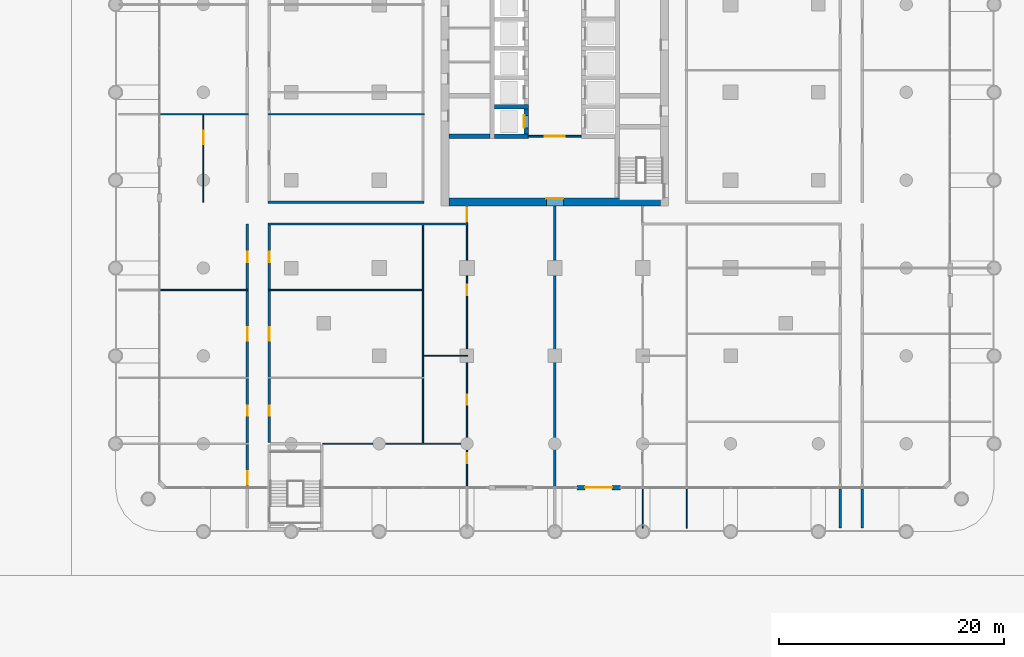
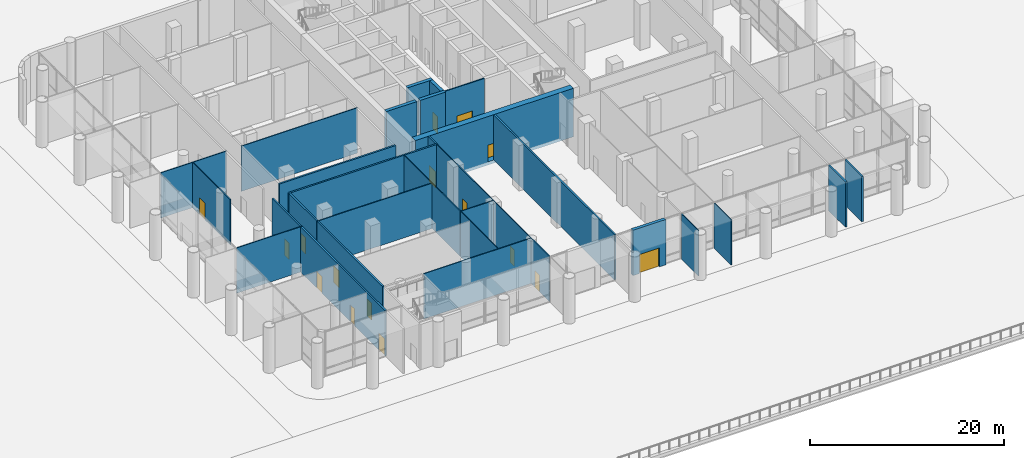
# One storey, part 11 of 32: 26 walls, 16 doors, 16 openings.
"""IFC4 building model written with IfcOpenShell, lengths in metres."""

import ifcopenshell
import ifcopenshell.guid

model = None  # the IFC model being written
_history = None  # IfcOwnerHistory: only IFC2X3 demands one
_inside = {}  # id of a spatial element -> (the spatial element, [elements in it])
_under = {}  # id of a project, library or spatial element -> (it, [spatial elements below it])
_declared = {}  # id of a project -> (the project, [libraries it declares])
_typed = {}  # id of a type object -> (the type object, [elements of that type])
_made_of = {}  # id of a material, layer set ... -> (it, [elements and type objects made of it])


def new_model(schema):
    """Start an empty IFC model of exactly this schema.

    Asked for "IFC4X3", IfcOpenShell would pick the latest addendum, in which some entities
    have other attributes; the version numbers below select the first issue.
    IFC2X3 requires an IfcOwnerHistory on every rooted entity: one is made here for all.
    """
    global model, _history
    if schema == "IFC4X3":
        model = ifcopenshell.file(schema_version=(4, 3, 0, 0))
    else:
        model = ifcopenshell.file(schema=schema)
    _inside.clear()
    _under.clear()
    _declared.clear()
    _typed.clear()
    _made_of.clear()
    _history = None
    if model.schema == "IFC2X3":
        org = make("IfcOrganization", Name="unknown")
        user = make(
            "IfcPersonAndOrganization",
            ThePerson=make("IfcPerson", FamilyName="unknown"),
            TheOrganization=org,
        )
        app = make(
            "IfcApplication",
            ApplicationDeveloper=org,
            Version="unknown",
            ApplicationFullName="unknown",
            ApplicationIdentifier="unknown",
        )
        _history = make(
            "IfcOwnerHistory",
            OwningUser=user,
            OwningApplication=app,
            ChangeAction="ADDED",
            CreationDate=0,
        )
    return model


def make(cls, **values):
    """One entity of the class cls with the attributes given. An attribute that is None is left unset."""
    return model.create_entity(
        cls, **{name: value for name, value in values.items() if value is not None}
    )


def rooted(cls, **values):
    """An entity with a GlobalId (a new one), such as an element, a storey or a relation."""
    return make(cls, GlobalId=ifcopenshell.guid.new(), OwnerHistory=_history, **values)


def si_unit(unit_type, name, prefix=None):
    """IfcSIUnit, for example si_unit("LENGTHUNIT", "METRE", prefix="MILLI")."""
    return make("IfcSIUnit", UnitType=unit_type, Prefix=prefix, Name=name)


def assignment(units):
    """IfcUnitAssignment: the units of a project."""
    return None if units is None else make("IfcUnitAssignment", Units=units)


def point(xyz):
    """IfcCartesianPoint."""
    return None if xyz is None else make("IfcCartesianPoint", Coordinates=xyz)


def direction(xyz):
    """IfcDirection."""
    return None if xyz is None else make("IfcDirection", DirectionRatios=xyz)


def frame(location, z_axis=None, x_axis=None):
    """IfcAxis2Placement3D, a coordinate frame: its origin and axes. An axis left out is left unset."""
    return make(
        "IfcAxis2Placement3D",
        Location=point(location),
        Axis=direction(z_axis),
        RefDirection=direction(x_axis),
    )


def frame_2d(location, x_axis=None):
    """IfcAxis2Placement2D, a coordinate frame in the plane: its origin and x axis."""
    return make(
        "IfcAxis2Placement2D", Location=point(location), RefDirection=direction(x_axis)
    )


def origin():
    """The frame at (0, 0, 0) with its axes left unset."""
    return frame((0.0, 0.0, 0.0))


def place(relative_to, where):
    """IfcLocalPlacement: puts the frame where relative to a parent placement (None: the world)."""
    return make(
        "IfcLocalPlacement", PlacementRelTo=relative_to, RelativePlacement=where
    )


def context(
    kind, dimensions, precision=None, world=None, true_north=None, identifier=None
):
    """IfcGeometricRepresentationContext, for example the 3D "Model" context."""
    return make(
        "IfcGeometricRepresentationContext",
        ContextIdentifier=identifier,
        ContextType=kind,
        CoordinateSpaceDimension=dimensions,
        Precision=precision,
        WorldCoordinateSystem=world,
        TrueNorth=true_north,
    )


def subcontext(parent, identifier, kind, view, scale=None):
    """IfcGeometricRepresentationSubContext, for example "Body" below "Model"."""
    return make(
        "IfcGeometricRepresentationSubContext",
        ContextIdentifier=identifier,
        ContextType=kind,
        ParentContext=parent,
        TargetScale=scale,
        TargetView=view,
    )


def project(units=None, contexts=None):
    """IfcProject with its units and contexts."""
    return rooted(
        "IfcProject",
        Name="project",
        RepresentationContexts=contexts,
        UnitsInContext=assignment(units),
    )


def spatial(cls, under=None, at=None, **own):
    """A site, building, storey or space (cls), placed at a placement, below another one or the project."""
    s = rooted(cls, ObjectPlacement=at, **own)
    if under is not None:
        _under.setdefault(under.id(), (under, []))[1].append(s)
    return s


def profile(cls, at=None, kind="AREA", **sizes):
    """A parametric profile (cls). Its sizes go by their IFC names, for example OverallWidth=200.0."""
    return make(cls, ProfileType=kind, Position=at, **sizes)


def rectangle(**sizes):
    """IfcRectangleProfileDef."""
    return profile("IfcRectangleProfileDef", **sizes)


def extrude(swept, where, along, depth):
    """IfcExtrudedAreaSolid: the profile swept, set in the frame where, extruded along a direction by depth."""
    return make(
        "IfcExtrudedAreaSolid",
        SweptArea=swept,
        Position=where,
        ExtrudedDirection=direction(along),
        Depth=depth,
    )


def shape(context_of_items, identifier, shape_type, items):
    """IfcShapeRepresentation: the items that make up one representation, for example the "Body"."""
    return make(
        "IfcShapeRepresentation",
        ContextOfItems=context_of_items,
        RepresentationIdentifier=identifier,
        RepresentationType=shape_type,
        Items=items,
    )


def material(Name=None, Category=None):
    """IfcMaterial."""
    return make("IfcMaterial", Name=Name, Category=Category)


def layer(
    of_material, thickness, ventilated=None, Name=None, Category=None, Priority=None
):
    """IfcMaterialLayer: one layer of a wall or slab, of a material (None: an air gap)."""
    return make(
        "IfcMaterialLayer",
        Material=of_material,
        LayerThickness=thickness,
        IsVentilated=ventilated,
        Name=Name,
        Category=Category,
        Priority=Priority,
    )


def layer_set(layers, Name=None):
    """IfcMaterialLayerSet."""
    return make("IfcMaterialLayerSet", MaterialLayers=layers, LayerSetName=Name)


def made_of(thing, what):
    """Note that an element or type object is made of a material, layer set ...; save() writes the relation."""
    if what is not None:
        _made_of.setdefault(what.id(), (what, []))[1].append(thing)
    return thing


def type_object(cls, material=None, **own):
    """A type object (cls), such as IfcWallType, which elements share."""
    return made_of(rooted(cls, **own), material)


def element(
    cls,
    number,
    at=None,
    inside=None,
    cuts=None,
    type_object=None,
    material=None,
    context=None,
    identifier="Body",
    shape_type=None,
    held_by="IfcProductDefinitionShape",
    body=None,
    shapes=None,
    **own,
):
    """One element of the class cls, such as IfcWall. Its Tag is "e" and its number.

    at: its placement. inside: the storey or other place that contains it. cuts: it is an
    opening in that element (IfcRelVoidsElement). A single representation is given by context,
    identifier, shape_type and body (its items); several are given by shapes. held_by: the class
    of the entity that holds the representations. save() writes the other relations.
    """
    e = rooted(cls, Tag="e%d" % number, ObjectPlacement=at, **own)
    if body is not None:
        shapes = [shape(context, identifier, shape_type, body)]
    if shapes is not None:
        e.Representation = make(held_by, Representations=shapes)
    if inside is not None:
        _inside.setdefault(inside.id(), (inside, []))[1].append(e)
    if cuts is not None:
        rooted(
            "IfcRelVoidsElement", RelatingBuildingElement=cuts, RelatedOpeningElement=e
        )
    if type_object is not None:
        _typed.setdefault(type_object.id(), (type_object, []))[1].append(e)
    return made_of(e, material)


def fill(opening, filler):
    """IfcRelFillsElement: the door or window that sits in an opening."""
    return rooted(
        "IfcRelFillsElement",
        RelatingOpeningElement=opening,
        RelatedBuildingElement=filler,
    )


def aggregate(whole, parts):
    """IfcRelAggregates: a whole, such as a stair, and the parts it consists of."""
    return rooted("IfcRelAggregates", RelatingObject=whole, RelatedObjects=parts)


def save(model, path):
    """Write the relations noted so far, then the file.

    IfcRelAggregates (storeys below a building ...), IfcRelContainedInSpatialStructure (elements
    in a storey), IfcRelDefinesByType, IfcRelAssociatesMaterial and IfcRelDeclares: one each for
    every whole, place, type object, material and project.
    """
    for whole, parts in _under.values():
        aggregate(whole, parts)
    for where, things in _inside.values():
        rooted(
            "IfcRelContainedInSpatialStructure",
            RelatedElements=things,
            RelatingStructure=where,
        )
    for kind, things in _typed.values():
        rooted("IfcRelDefinesByType", RelatedObjects=things, RelatingType=kind)
    for what, things in _made_of.values():
        rooted("IfcRelAssociatesMaterial", RelatedObjects=things, RelatingMaterial=what)
    for by, libraries in _declared.values():
        rooted("IfcRelDeclares", RelatingContext=by, RelatedDefinitions=libraries)
    model.write(path)


model = new_model("IFC4")

# Units and contexts
model_context = context("Model", 3, precision=1e-05, world=origin(), true_north=direction((0.0, 1.0)))
body_context = subcontext(model_context, "Body", "Model", "MODEL_VIEW")
ifc_project = project(units=[si_unit("LENGTHUNIT", "METRE"), si_unit("AREAUNIT", "SQUARE_METRE"), si_unit("VOLUMEUNIT", "CUBIC_METRE"), si_unit("PLANEANGLEUNIT", "RADIAN"), si_unit("MASSUNIT", "GRAM", prefix="KILO")], contexts=[model_context])

# Site, building, storey
site_placement = place(None, origin())
site = spatial("IfcSite", under=ifc_project, at=site_placement, CompositionType="ELEMENT")
building_placement = place(site_placement, origin())
building = spatial("IfcBuilding", under=site, at=building_placement, Name="Ludao Terraces", CompositionType="ELEMENT")
storey_placement = place(building_placement, origin())
storey = spatial("IfcBuildingStorey", under=building, at=storey_placement, Name="L00", CompositionType="ELEMENT", Elevation=0.0)

# Wall, opening, door
ifc_material_1 = material(Name="Concrete C70", Category="concrete")
ifc_layer_1 = layer(ifc_material_1, 0.699951171875)
ifc_layer_set_1 = layer_set([ifc_layer_1], Name="Core wall 700 C70")
wall_type_1 = type_object("IfcWallType", Name="Core wall 700 C70", PredefinedType="SOLIDWALL", material=ifc_layer_set_1)
wall_1_placement = place(storey_placement, frame((75.60009765625, 55.25, -0.39990234375), z_axis=(0.0, 0.0, 1.0), x_axis=(1.0, 0.0, 0.0)))
wall_1 = element("IfcWall", 1, at=wall_1_placement, inside=storey, type_object=wall_type_1, Name="Core wall L00 outer-S", PredefinedType="SOLIDWALL", context=body_context, shape_type="SweptSolid", body=[
    extrude(rectangle(XDim=18.7998046875, YDim=0.699951171875, at=frame_2d((9.39990234375, 0.0))), origin(), (0.0, 0.0, 1.0), 6.099853515625),
])
opening_1_placement = place(wall_1_placement, frame((8.64990234375, 0.0, 0.39990234375)))
opening_1 = element("IfcOpeningElement", 2, at=opening_1_placement, cuts=wall_1, Name="Opening L00-025", PredefinedType="OPENING", context=body_context, shape_type="SweptSolid", body=[
    extrude(rectangle(XDim=1.5, YDim=2.10009765625, at=frame_2d((0.75, 1.050048828125))), frame((0.0, 0.35986328125, 0.0), z_axis=(0.0, -1.0, 0.0), x_axis=(1.0, 0.0, 0.0)), (0.0, 0.0, 1.0), 0.719970703125),
])
ifc_material_2 = material(Name="Steel Q235", Category="steel")
door_type_1 = type_object("IfcDoorType", Name="INT Lobby door 1500", OperationType="DOUBLE_DOOR_SINGLE_SWING", PredefinedType="DOOR", material=ifc_material_2)
door_1_placement = place(opening_1_placement, origin())
door_1 = element("IfcDoor", 3, at=door_1_placement, inside=storey, type_object=door_type_1, Name="DOOR 025", OperationType="DOUBLE_DOOR_SINGLE_SWING", OverallHeight=2.10009765625, OverallWidth=1.5, PredefinedType="DOOR", context=body_context, shape_type="SweptSolid", body=[
    extrude(rectangle(XDim=1.5, YDim=2.10009765625, at=frame_2d((0.75, 1.050048828125))), frame((0.0, 0.3349609375, 0.0), z_axis=(0.0, -1.0, 0.0), x_axis=(1.0, 0.0, 0.0)), (0.0, 0.0, 1.0), 0.050048828125),
])
fill(opening_1, door_1)

ifc_material_3 = material(Name="Granite cladding", Category="masonry")
ifc_layer_2 = layer(ifc_material_3, 0.06005859375, Category="stone")
ifc_material_4 = material(Name="Mineral wool")
ifc_layer_3 = layer(ifc_material_4, 0.06005859375)
ifc_material_5 = material(Name="Concrete C40", Category="concrete")
ifc_layer_4 = layer(ifc_material_5, 0.260009765625, Category="concrete")
ifc_layer_set_2 = layer_set([ifc_layer_2, ifc_layer_3, ifc_layer_4], Name="ENV Entrance portal wall 380")
wall_type_2 = type_object("IfcWallType", Name="ENV Entrance portal wall 380", PredefinedType="SOLIDWALL", material=ifc_layer_set_2)
wall_2_placement = place(storey_placement, frame((86.949951171875, 29.89990234375, 0.0), z_axis=(0.0, 0.0, 1.0), x_axis=(1.0, 0.0, 0.0)))
wall_2 = element("IfcWall", 4, at=wall_2_placement, inside=storey, type_object=wall_type_2, Name="EW-L00-SP9", PredefinedType="SOLIDWALL", context=body_context, shape_type="SweptSolid", body=[
    extrude(rectangle(XDim=3.900146484375, YDim=0.3798828125, at=frame_2d((1.9501953125, 0.0))), origin(), (0.0, 0.0, 1.0), 5.699951171875),
])
opening_2_placement = place(wall_2_placement, frame((0.75, 0.0, 0.0)))
opening_2 = element("IfcOpeningElement", 5, at=opening_2_placement, cuts=wall_2, Name="Opening EN3", PredefinedType="OPENING", context=body_context, shape_type="SweptSolid", body=[
    extrude(rectangle(XDim=2.39990234375, YDim=2.39990234375, at=frame_2d((1.199951171875, 1.199951171875))), frame((0.0, 0.199951171875, 0.0), z_axis=(0.0, -1.0, 0.0), x_axis=(1.0, 0.0, 0.0)), (0.0, 0.0, 1.0), 0.39990234375),
])
ifc_material_6 = material(Name="Aluminium glazed door", Category="aluminium")
ifc_layer_5 = layer(ifc_material_6, 0.06005859375)
ifc_layer_set_3 = layer_set([ifc_layer_5], Name="ENV Entrance door EN3 2400x2400")
door_type_2 = type_object("IfcDoorType", Name="ENV Entrance door EN3 2400x2400", OperationType="DOUBLE_DOOR_SINGLE_SWING", PredefinedType="DOOR", material=ifc_layer_set_3)
door_2_placement = place(opening_2_placement, frame((2.39990234375, 0.0, 0.0), z_axis=(0.0, 0.0, 1.0), x_axis=(-1.0, 0.0, 0.0)))
door_2 = element("IfcDoor", 6, at=door_2_placement, inside=storey, type_object=door_type_2, Name="EX-L00-S9", OperationType="DOUBLE_DOOR_SINGLE_SWING", OverallHeight=2.39990234375, OverallWidth=2.39990234375, PredefinedType="DOOR", context=body_context, shape_type="SweptSolid", body=[
    extrude(rectangle(XDim=2.39990234375, YDim=2.39990234375, at=frame_2d((1.199951171875, 1.199951171875))), frame((0.0, 0.02490234375, 0.0), z_axis=(0.0, -1.0, 0.0), x_axis=(1.0, 0.0, 0.0)), (0.0, 0.0, 1.0), 0.050048828125),
])
fill(opening_2, door_2)

ifc_material_7 = material(Name="Fire-rated gypsum plasterboard", Category="gypsum")
ifc_layer_6 = layer(ifc_material_7, 0.012451171875, Category="gypsum")
ifc_layer_7 = layer(ifc_material_4, 0.10009765625, Name="insulation")
ifc_layer_8 = layer(ifc_material_2, 0.02490234375, Name="stud")
ifc_layer_9 = layer(ifc_material_7, 0.012451171875, Category="gypsum")
ifc_layer_set_4 = layer_set([ifc_layer_6, ifc_layer_7, ifc_layer_8, ifc_layer_9], Name="INT Core partition 150")
wall_type_3 = type_object("IfcWallType", Name="INT Core partition 150", PredefinedType="PARTITIONING", material=ifc_layer_set_4)
wall_3_placement = place(storey_placement, frame((82.650146484375, 61.10009765625, 0.0), z_axis=(0.0, 0.0, 1.0), x_axis=(1.0, 0.0, 0.0)))
wall_3 = element("IfcWall", 7, at=wall_3_placement, inside=storey, type_object=wall_type_3, Name="PW-L00-PW026", PredefinedType="PARTITIONING", context=body_context, shape_type="SweptSolid", body=[
    extrude(rectangle(XDim=4.699951171875, YDim=0.14990234375, at=frame_2d((2.35009765625, 0.0))), origin(), (0.0, 0.0, 1.0), 5.699951171875),
])
opening_3_placement = place(wall_3_placement, frame((1.449951171875, 0.0, 0.0)))
opening_3 = element("IfcOpeningElement", 8, at=opening_3_placement, cuts=wall_3, Name="Opening L00-031", PredefinedType="OPENING", context=body_context, shape_type="SweptSolid", body=[
    extrude(rectangle(XDim=1.800048828125, YDim=2.10009765625, at=frame_2d((0.89990234375, 1.050048828125))), frame((0.0, 0.0849609375, 0.0), z_axis=(0.0, -1.0, 0.0), x_axis=(1.0, 0.0, 0.0)), (0.0, 0.0, 1.0), 0.169921875),
])
door_type_3 = type_object("IfcDoorType", Name="INT Fire lobby door 1800", OperationType="DOUBLE_DOOR_SINGLE_SWING", PredefinedType="DOOR", material=ifc_material_2)
door_3_placement = place(opening_3_placement, origin())
door_3 = element("IfcDoor", 9, at=door_3_placement, inside=storey, type_object=door_type_3, Name="DOOR 031", OperationType="DOUBLE_DOOR_SINGLE_SWING", OverallHeight=2.10009765625, OverallWidth=1.800048828125, PredefinedType="DOOR", context=body_context, shape_type="SweptSolid", body=[
    extrude(rectangle(XDim=1.800048828125, YDim=2.10009765625, at=frame_2d((0.89990234375, 1.050048828125))), frame((0.0, 0.02490234375, 0.0), z_axis=(0.0, -1.0, 0.0), x_axis=(1.0, 0.0, 0.0)), (0.0, 0.0, 1.0), 0.050048828125),
])
fill(opening_3, door_3)

# Walls
ifc_material_8 = material(Name="Autoclaved aerated concrete block B06 A3.5", Category="concrete")
ifc_layer_10 = layer(ifc_material_8, 0.199951171875)
ifc_layer_set_5 = layer_set([ifc_layer_10], Name="INT Entrance wall 200")
wall_type_4 = type_object("IfcWallType", Name="INT Entrance wall 200", PredefinedType="PARTITIONING", material=ifc_layer_set_5)
wall_4_placement = place(storey_placement, frame((59.550048828125, 53.300048828125, 0.0), z_axis=(0.0, 0.0, 1.0), x_axis=(1.0, 0.0, 0.0)))
element("IfcWall", 10, at=wall_4_placement, inside=storey, type_object=wall_type_4, Name="PW-L00-PW022", PredefinedType="PARTITIONING", context=body_context, shape_type="SweptSolid", body=[
    extrude(rectangle(XDim=17.75, YDim=0.199951171875, at=frame_2d((8.875, 0.0))), origin(), (0.0, 0.0, 1.0), 5.699951171875),
])
wall_5_placement = place(storey_placement, frame((59.550048828125, 55.25, 0.0), z_axis=(0.0, 0.0, 1.0), x_axis=(1.0, 0.0, 0.0)))
element("IfcWall", 11, at=wall_5_placement, inside=storey, type_object=wall_type_4, Name="PW-L00-PW024", PredefinedType="PARTITIONING", context=body_context, shape_type="SweptSolid", body=[
    extrude(rectangle(XDim=13.85009765625, YDim=0.199951171875, at=frame_2d((6.925048828125, 0.0))), origin(), (0.0, 0.0, 1.0), 5.699951171875),
])

# Wall, openings, doors
wall_6_placement = place(storey_placement, frame((57.699951171875, 30.0, 0.0), z_axis=(0.0, 0.0, 1.0), x_axis=(0.0, 1.0, 0.0)))
wall_6 = element("IfcWall", 12, at=wall_6_placement, inside=storey, type_object=wall_type_4, Name="PW-L00-PW051", PredefinedType="PARTITIONING", context=body_context, shape_type="SweptSolid", body=[
    extrude(rectangle(XDim=23.300048828125, YDim=0.199951171875, at=frame_2d((11.64990234375, 0.0))), origin(), (0.0, 0.0, 1.0), 5.699951171875),
])
opening_4_placement = place(wall_6_placement, frame((0.14990234375, 0.0, 0.0)))
opening_4 = element("IfcOpeningElement", 13, at=opening_4_placement, cuts=wall_6, Name="Opening L00-002", PredefinedType="OPENING", context=body_context, shape_type="SweptSolid", body=[
    extrude(rectangle(XDim=1.199951171875, YDim=2.10009765625, at=frame_2d((0.60009765625, 1.050048828125))), frame((0.0, 0.10986328125, 0.0), z_axis=(0.0, -1.0, 0.0), x_axis=(1.0, 0.0, 0.0)), (0.0, 0.0, 1.0), 0.219970703125),
])
opening_5_placement = place(wall_6_placement, frame((6.27490234375, 0.0, 0.0)))
opening_5 = element("IfcOpeningElement", 14, at=opening_5_placement, cuts=wall_6, Name="Opening L00-007", PredefinedType="OPENING", context=body_context, shape_type="SweptSolid", body=[
    extrude(rectangle(XDim=0.89990234375, YDim=2.10009765625, at=frame_2d((0.449951171875, 1.050048828125))), frame((0.0, 0.10986328125, 0.0), z_axis=(0.0, -1.0, 0.0), x_axis=(1.0, 0.0, 0.0)), (0.0, 0.0, 1.0), 0.219970703125),
])
opening_6_placement = place(wall_6_placement, frame((12.949951171875, 0.0, 0.0)))
opening_6 = element("IfcOpeningElement", 15, at=opening_6_placement, cuts=wall_6, Name="Opening L00-013", PredefinedType="OPENING", context=body_context, shape_type="SweptSolid", body=[
    extrude(rectangle(XDim=1.199951171875, YDim=2.10009765625, at=frame_2d((0.60009765625, 1.050048828125))), frame((0.0, 0.10986328125, 0.0), z_axis=(0.0, -1.0, 0.0), x_axis=(1.0, 0.0, 0.0)), (0.0, 0.0, 1.0), 0.219970703125),
])
opening_7_placement = place(wall_6_placement, frame((19.925048828125, 0.0, 0.0)))
opening_7 = element("IfcOpeningElement", 16, at=opening_7_placement, cuts=wall_6, Name="Opening L00-019", PredefinedType="OPENING", context=body_context, shape_type="SweptSolid", body=[
    extrude(rectangle(XDim=0.89990234375, YDim=2.10009765625, at=frame_2d((0.449951171875, 1.050048828125))), frame((0.0, 0.10986328125, 0.0), z_axis=(0.0, -1.0, 0.0), x_axis=(1.0, 0.0, 0.0)), (0.0, 0.0, 1.0), 0.219970703125),
])
ifc_material_9 = material(Name="Timber door leaf", Category="wood")
door_type_4 = type_object("IfcDoorType", Name="INT Double door 1200", OperationType="DOUBLE_DOOR_SINGLE_SWING", PredefinedType="DOOR", material=ifc_material_9)
door_4_placement = place(opening_4_placement, origin())
door_4 = element("IfcDoor", 17, at=door_4_placement, inside=storey, type_object=door_type_4, Name="DOOR 002", OperationType="DOUBLE_DOOR_SINGLE_SWING", OverallHeight=2.10009765625, OverallWidth=1.199951171875, PredefinedType="DOOR", context=body_context, shape_type="SweptSolid", body=[
    extrude(rectangle(XDim=1.199951171875, YDim=2.10009765625, at=frame_2d((0.60009765625, 1.050048828125))), frame((0.0, 0.02490234375, 0.0), z_axis=(0.0, -1.0, 0.0), x_axis=(1.0, 0.0, 0.0)), (0.0, 0.0, 1.0), 0.050048828125),
])
fill(opening_4, door_4)
door_5_placement = place(opening_6_placement, origin())
door_5 = element("IfcDoor", 18, at=door_5_placement, inside=storey, type_object=door_type_4, Name="DOOR 013", OperationType="DOUBLE_DOOR_SINGLE_SWING", OverallHeight=2.10009765625, OverallWidth=1.199951171875, PredefinedType="DOOR", context=body_context, shape_type="SweptSolid", body=[
    extrude(rectangle(XDim=1.199951171875, YDim=2.10009765625, at=frame_2d((0.60009765625, 1.050048828125))), frame((0.0, 0.02490234375, 0.0), z_axis=(0.0, -1.0, 0.0), x_axis=(1.0, 0.0, 0.0)), (0.0, 0.0, 1.0), 0.050048828125),
])
fill(opening_6, door_5)
door_type_5 = type_object("IfcDoorType", Name="INT Room door 900", OperationType="SINGLE_SWING_LEFT", PredefinedType="DOOR", material=ifc_material_9)
door_6_placement = place(opening_5_placement, origin())
door_6 = element("IfcDoor", 19, at=door_6_placement, inside=storey, type_object=door_type_5, Name="DOOR 007", OperationType="SINGLE_SWING_RIGHT", OverallHeight=2.10009765625, OverallWidth=0.89990234375, PredefinedType="DOOR", context=body_context, shape_type="SweptSolid", body=[
    extrude(rectangle(XDim=0.89990234375, YDim=2.10009765625, at=frame_2d((0.449951171875, 1.050048828125))), frame((0.0, 0.02490234375, 0.0), z_axis=(0.0, -1.0, 0.0), x_axis=(1.0, 0.0, 0.0)), (0.0, 0.0, 1.0), 0.050048828125),
])
fill(opening_5, door_6)
door_7_placement = place(opening_7_placement, origin())
door_7 = element("IfcDoor", 20, at=door_7_placement, inside=storey, type_object=door_type_5, Name="DOOR 019", OperationType="SINGLE_SWING_LEFT", OverallHeight=2.10009765625, OverallWidth=0.89990234375, PredefinedType="DOOR", context=body_context, shape_type="SweptSolid", body=[
    extrude(rectangle(XDim=0.89990234375, YDim=2.10009765625, at=frame_2d((0.449951171875, 1.050048828125))), frame((0.0, 0.02490234375, 0.0), z_axis=(0.0, -1.0, 0.0), x_axis=(1.0, 0.0, 0.0)), (0.0, 0.0, 1.0), 0.050048828125),
])
fill(opening_7, door_7)

wall_7_placement = place(storey_placement, frame((59.64990234375, 33.900146484375, 0.0), z_axis=(0.0, 0.0, 1.0), x_axis=(0.0, 1.0, 0.0)))
wall_7 = element("IfcWall", 21, at=wall_7_placement, inside=storey, type_object=wall_type_4, Name="PW-L00-PW053", PredefinedType="PARTITIONING", context=body_context, shape_type="SweptSolid", body=[
    extrude(rectangle(XDim=19.300048828125, YDim=0.199951171875, at=frame_2d((9.64990234375, 0.0))), origin(), (0.0, 0.0, 1.0), 5.699951171875),
])
opening_8_placement = place(wall_7_placement, frame((2.375, 0.0, 0.0)))
opening_8 = element("IfcOpeningElement", 22, at=opening_8_placement, cuts=wall_7, Name="Opening L00-008", PredefinedType="OPENING", context=body_context, shape_type="SweptSolid", body=[
    extrude(rectangle(XDim=0.89990234375, YDim=2.10009765625, at=frame_2d((0.449951171875, 1.050048828125))), frame((0.0, 0.10986328125, 0.0), z_axis=(0.0, -1.0, 0.0), x_axis=(1.0, 0.0, 0.0)), (0.0, 0.0, 1.0), 0.219970703125),
])
opening_9_placement = place(wall_7_placement, frame((9.050048828125, 0.0, 0.0)))
opening_9 = element("IfcOpeningElement", 23, at=opening_9_placement, cuts=wall_7, Name="Opening L00-014", PredefinedType="OPENING", context=body_context, shape_type="SweptSolid", body=[
    extrude(rectangle(XDim=1.199951171875, YDim=2.10009765625, at=frame_2d((0.60009765625, 1.050048828125))), frame((0.0, 0.10986328125, 0.0), z_axis=(0.0, -1.0, 0.0), x_axis=(1.0, 0.0, 0.0)), (0.0, 0.0, 1.0), 0.219970703125),
])
opening_10_placement = place(wall_7_placement, frame((16.02490234375, 0.0, 0.0)))
opening_10 = element("IfcOpeningElement", 24, at=opening_10_placement, cuts=wall_7, Name="Opening L00-020", PredefinedType="OPENING", context=body_context, shape_type="SweptSolid", body=[
    extrude(rectangle(XDim=0.89990234375, YDim=2.10009765625, at=frame_2d((0.449951171875, 1.050048828125))), frame((0.0, 0.10986328125, 0.0), z_axis=(0.0, -1.0, 0.0), x_axis=(1.0, 0.0, 0.0)), (0.0, 0.0, 1.0), 0.219970703125),
])
door_8_placement = place(opening_9_placement, origin())
door_8 = element("IfcDoor", 25, at=door_8_placement, inside=storey, type_object=door_type_4, Name="DOOR 014", OperationType="DOUBLE_DOOR_SINGLE_SWING", OverallHeight=2.10009765625, OverallWidth=1.199951171875, PredefinedType="DOOR", context=body_context, shape_type="SweptSolid", body=[
    extrude(rectangle(XDim=1.199951171875, YDim=2.10009765625, at=frame_2d((0.60009765625, 1.050048828125))), frame((0.0, 0.02490234375, 0.0), z_axis=(0.0, -1.0, 0.0), x_axis=(1.0, 0.0, 0.0)), (0.0, 0.0, 1.0), 0.050048828125),
])
fill(opening_9, door_8)
door_9_placement = place(opening_8_placement, origin())
door_9 = element("IfcDoor", 26, at=door_9_placement, inside=storey, type_object=door_type_5, Name="DOOR 008", OperationType="SINGLE_SWING_RIGHT", OverallHeight=2.10009765625, OverallWidth=0.89990234375, PredefinedType="DOOR", context=body_context, shape_type="SweptSolid", body=[
    extrude(rectangle(XDim=0.89990234375, YDim=2.10009765625, at=frame_2d((0.449951171875, 1.050048828125))), frame((0.0, 0.02490234375, 0.0), z_axis=(0.0, -1.0, 0.0), x_axis=(1.0, 0.0, 0.0)), (0.0, 0.0, 1.0), 0.050048828125),
])
fill(opening_8, door_9)
door_10_placement = place(opening_10_placement, origin())
door_10 = element("IfcDoor", 27, at=door_10_placement, inside=storey, type_object=door_type_5, Name="DOOR 020", OperationType="SINGLE_SWING_RIGHT", OverallHeight=2.10009765625, OverallWidth=0.89990234375, PredefinedType="DOOR", context=body_context, shape_type="SweptSolid", body=[
    extrude(rectangle(XDim=0.89990234375, YDim=2.10009765625, at=frame_2d((0.449951171875, 1.050048828125))), frame((0.0, 0.02490234375, 0.0), z_axis=(0.0, -1.0, 0.0), x_axis=(1.0, 0.0, 0.0)), (0.0, 0.0, 1.0), 0.050048828125),
])
fill(opening_10, door_10)

# Wall, opening, door
wall_8_placement = place(storey_placement, frame((77.199951171875, 53.400146484375, 0.0), z_axis=(0.0, 0.0, 1.0), x_axis=(0.0, 1.0, 0.0)))
wall_8 = element("IfcWall", 28, at=wall_8_placement, inside=storey, type_object=wall_type_4, Name="PW-L00-PW060", PredefinedType="PARTITIONING", context=body_context, shape_type="SweptSolid", body=[
    extrude(rectangle(XDim=1.5, YDim=0.199951171875, at=frame_2d((0.75, 0.0))), origin(), (0.0, 0.0, 1.0), 5.699951171875),
])
opening_11_placement = place(wall_8_placement, frame((0.10009765625, 0.0, 0.0)))
opening_11 = element("IfcOpeningElement", 29, at=opening_11_placement, cuts=wall_8, Name="Opening L00-023", PredefinedType="OPENING", context=body_context, shape_type="SweptSolid", body=[
    extrude(rectangle(XDim=1.300048828125, YDim=2.10009765625, at=frame_2d((0.64990234375, 1.050048828125))), frame((0.0, 0.10986328125, 0.0), z_axis=(0.0, -1.0, 0.0), x_axis=(1.0, 0.0, 0.0)), (0.0, 0.0, 1.0), 0.219970703125),
])
door_type_6 = type_object("IfcDoorType", Name="INT Lobby door 1300", OperationType="DOUBLE_DOOR_SINGLE_SWING", PredefinedType="DOOR", material=ifc_material_2)
door_11_placement = place(opening_11_placement, origin())
door_11 = element("IfcDoor", 30, at=door_11_placement, inside=storey, type_object=door_type_6, Name="DOOR 023", OperationType="DOUBLE_DOOR_SINGLE_SWING", OverallHeight=2.10009765625, OverallWidth=1.300048828125, PredefinedType="DOOR", context=body_context, shape_type="SweptSolid", body=[
    extrude(rectangle(XDim=1.300048828125, YDim=2.10009765625, at=frame_2d((0.64990234375, 1.050048828125))), frame((0.0, 0.02490234375, 0.0), z_axis=(0.0, -1.0, 0.0), x_axis=(1.0, 0.0, 0.0)), (0.0, 0.0, 1.0), 0.050048828125),
])
fill(opening_11, door_11)

# Walls
wall_9_placement = place(storey_placement, frame((85.0, 30.0, 0.0), z_axis=(0.0, 0.0, 1.0), x_axis=(0.0, 1.0, 0.0)))
element("IfcWall", 31, at=wall_9_placement, inside=storey, type_object=wall_type_4, Name="PW-L00-PW062", PredefinedType="PARTITIONING", context=body_context, shape_type="SweptSolid", body=[
    extrude(rectangle(XDim=24.900146484375, YDim=0.199951171875, at=frame_2d((12.4501953125, 0.0))), origin(), (0.0, 0.0, 1.0), 5.699951171875),
])
for number, where, z_axis, x_axis, name in (
    (32, (110.35009765625, 26.300048828125, 0.0), (0.0, 0.0, 1.0), (0.0, 1.0, 0.0), "PW-L00-PW071"),
    (33, (112.300048828125, 26.300048828125, 0.0), (0.0, 0.0, 1.0), (0.0, 1.0, 0.0), "PW-L00-PW074"),
):
    element("IfcWall", number, at=place(storey_placement, frame(where, z_axis=z_axis, x_axis=x_axis)), inside=storey, type_object=wall_type_4, Name=name, PredefinedType="PARTITIONING", context=body_context, shape_type="SweptSolid", body=[
        extrude(rectangle(XDim=3.5, YDim=0.199951171875, at=frame_2d((1.75, 0.0))), origin(), (0.0, 0.0, 1.0), 5.699951171875),
    ])
ifc_material_10 = material(Name="Gypsum plasterboard", Category="gypsum")
ifc_layer_11 = layer(ifc_material_10, 0.012451171875, Category="gypsum")
ifc_layer_12 = layer(ifc_material_4, 0.06005859375, Name="insulation")
ifc_layer_13 = layer(ifc_material_2, 0.014892578125, Name="stud")
ifc_layer_14 = layer(ifc_material_10, 0.012451171875, Category="gypsum")
ifc_layer_set_6 = layer_set([ifc_layer_11, ifc_layer_12, ifc_layer_13, ifc_layer_14], Name="INT Partition 100")
wall_type_5 = type_object("IfcWallType", Name="INT Partition 100", PredefinedType="PARTITIONING", material=ifc_layer_set_6)
wall_10_placement = place(storey_placement, frame((64.400146484375, 33.800048828125, 0.0), z_axis=(0.0, 0.0, 1.0), x_axis=(1.0, 0.0, 0.0)))
element("IfcWall", 34, at=wall_10_placement, inside=storey, type_object=wall_type_5, Name="PW-L00-PW003", PredefinedType="PARTITIONING", context=body_context, shape_type="SweptSolid", body=[
    extrude(rectangle(XDim=12.849853515625, YDim=0.10009765625, at=frame_2d((6.4248046875, 0.0))), origin(), (0.0, 0.0, 1.0), 5.699951171875),
])
wall_11_placement = place(storey_placement, frame((73.25, 41.60009765625, 0.0), z_axis=(0.0, 0.0, 1.0), x_axis=(1.0, 0.0, 0.0)))
element("IfcWall", 35, at=wall_11_placement, inside=storey, type_object=wall_type_5, Name="PW-L00-PW011", PredefinedType="PARTITIONING", context=body_context, shape_type="SweptSolid", body=[
    extrude(rectangle(XDim=4.0, YDim=0.10009765625, at=frame_2d((2.0, 0.0))), origin(), (0.0, 0.0, 1.0), 5.699951171875),
])
wall_12_placement = place(storey_placement, frame((50.0, 47.449951171875, 0.0), z_axis=(0.0, 0.0, 1.0), x_axis=(1.0, 0.0, 0.0)))
element("IfcWall", 36, at=wall_12_placement, inside=storey, type_object=wall_type_5, Name="PW-L00-PW017", PredefinedType="PARTITIONING", context=body_context, shape_type="SweptSolid", body=[
    extrude(rectangle(XDim=7.800048828125, YDim=0.10009765625, at=frame_2d((3.89990234375, 0.0))), origin(), (0.0, 0.0, 1.0), 5.699951171875),
])
wall_13_placement = place(storey_placement, frame((59.550048828125, 47.449951171875, 0.0), z_axis=(0.0, 0.0, 1.0), x_axis=(1.0, 0.0, 0.0)))
element("IfcWall", 37, at=wall_13_placement, inside=storey, type_object=wall_type_5, Name="PW-L00-PW018", PredefinedType="PARTITIONING", context=body_context, shape_type="SweptSolid", body=[
    extrude(rectangle(XDim=13.800048828125, YDim=0.10009765625, at=frame_2d((6.89990234375, 0.0))), origin(), (0.0, 0.0, 1.0), 5.699951171875),
])
wall_14_placement = place(storey_placement, frame((50.0, 63.050048828125, 0.0), z_axis=(0.0, 0.0, 1.0), x_axis=(1.0, 0.0, 0.0)))
element("IfcWall", 38, at=wall_14_placement, inside=storey, type_object=wall_type_5, Name="PW-L00-PW028", PredefinedType="PARTITIONING", context=body_context, shape_type="SweptSolid", body=[
    extrude(rectangle(XDim=7.800048828125, YDim=0.10009765625, at=frame_2d((3.89990234375, 0.0))), origin(), (0.0, 0.0, 1.0), 5.699951171875),
])
wall_15_placement = place(storey_placement, frame((59.550048828125, 63.050048828125, 0.0), z_axis=(0.0, 0.0, 1.0), x_axis=(1.0, 0.0, 0.0)))
element("IfcWall", 39, at=wall_15_placement, inside=storey, type_object=wall_type_5, Name="PW-L00-PW029", PredefinedType="PARTITIONING", context=body_context, shape_type="SweptSolid", body=[
    extrude(rectangle(XDim=13.85009765625, YDim=0.10009765625, at=frame_2d((6.925048828125, 0.0))), origin(), (0.0, 0.0, 1.0), 5.699951171875),
])

# Wall, opening, door
wall_16_placement = place(storey_placement, frame((53.800048828125, 55.25, 0.0), z_axis=(0.0, 0.0, 1.0), x_axis=(0.0, 1.0, 0.0)))
wall_16 = element("IfcWall", 40, at=wall_16_placement, inside=storey, type_object=wall_type_5, Name="PW-L00-PW049", PredefinedType="PARTITIONING", context=body_context, shape_type="SweptSolid", body=[
    extrude(rectangle(XDim=7.75, YDim=0.10009765625, at=frame_2d((3.875, 0.0))), origin(), (0.0, 0.0, 1.0), 5.699951171875),
])
opening_12_placement = place(wall_16_placement, frame((5.1474609375, 0.0, 0.0)))
opening_12 = element("IfcOpeningElement", 41, at=opening_12_placement, cuts=wall_16, Name="Opening L00-030", PredefinedType="OPENING", context=body_context, shape_type="SweptSolid", body=[
    extrude(rectangle(XDim=1.199951171875, YDim=2.10009765625, at=frame_2d((0.60009765625, 1.050048828125))), frame((0.0, 0.06005859375, 0.0), z_axis=(0.0, -1.0, 0.0), x_axis=(1.0, 0.0, 0.0)), (0.0, 0.0, 1.0), 0.1201171875),
])
door_12_placement = place(opening_12_placement, origin())
door_12 = element("IfcDoor", 42, at=door_12_placement, inside=storey, type_object=door_type_4, Name="DOOR 030", OperationType="DOUBLE_DOOR_SINGLE_SWING", OverallHeight=2.10009765625, OverallWidth=1.199951171875, PredefinedType="DOOR", context=body_context, shape_type="SweptSolid", body=[
    extrude(rectangle(XDim=1.199951171875, YDim=2.10009765625, at=frame_2d((0.60009765625, 1.050048828125))), frame((0.0, 0.02490234375, 0.0), z_axis=(0.0, -1.0, 0.0), x_axis=(1.0, 0.0, 0.0)), (0.0, 0.0, 1.0), 0.050048828125),
])
fill(opening_12, door_12)

# Wall
wall_17_placement = place(storey_placement, frame((73.300048828125, 33.85009765625, 0.0), z_axis=(0.0, 0.0, 1.0), x_axis=(0.0, 1.0, 0.0)))
element("IfcWall", 43, at=wall_17_placement, inside=storey, type_object=wall_type_5, Name="PW-L00-PW055", PredefinedType="PARTITIONING", context=body_context, shape_type="SweptSolid", body=[
    extrude(rectangle(XDim=19.35009765625, YDim=0.10009765625, at=frame_2d((9.675048828125, 0.0))), origin(), (0.0, 0.0, 1.0), 5.699951171875),
])

# Wall, openings, doors
wall_18_placement = place(storey_placement, frame((77.199951171875, 30.0, 0.0), z_axis=(0.0, 0.0, 1.0), x_axis=(0.0, 1.0, 0.0)))
wall_18 = element("IfcWall", 44, at=wall_18_placement, inside=storey, type_object=wall_type_5, Name="PW-L00-PW059", PredefinedType="PARTITIONING", context=body_context, shape_type="SweptSolid", body=[
    extrude(rectangle(XDim=23.2001953125, YDim=0.10009765625, at=frame_2d((11.60009765625, 0.0))), origin(), (0.0, 0.0, 1.0), 5.699951171875),
])
opening_13_placement = place(wall_18_placement, frame((2.050048828125, 0.0, 0.0)))
opening_13 = element("IfcOpeningElement", 45, at=opening_13_placement, cuts=wall_18, Name="Opening L00-005", PredefinedType="OPENING", context=body_context, shape_type="SweptSolid", body=[
    extrude(rectangle(XDim=0.89990234375, YDim=2.10009765625, at=frame_2d((0.449951171875, 1.050048828125))), frame((0.0, 0.06005859375, 0.0), z_axis=(0.0, -1.0, 0.0), x_axis=(1.0, 0.0, 0.0)), (0.0, 0.0, 1.0), 0.1201171875),
])
opening_14_placement = place(wall_18_placement, frame((7.25, 0.0, 0.0)))
opening_14 = element("IfcOpeningElement", 46, at=opening_14_placement, cuts=wall_18, Name="Opening L00-009", PredefinedType="OPENING", context=body_context, shape_type="SweptSolid", body=[
    extrude(rectangle(XDim=0.89990234375, YDim=2.10009765625, at=frame_2d((0.449951171875, 1.050048828125))), frame((0.0, 0.06005859375, 0.0), z_axis=(0.0, -1.0, 0.0), x_axis=(1.0, 0.0, 0.0)), (0.0, 0.0, 1.0), 0.1201171875),
])
opening_15_placement = place(wall_18_placement, frame((17.0, 0.0, 0.0)))
opening_15 = element("IfcOpeningElement", 47, at=opening_15_placement, cuts=wall_18, Name="Opening L00-017", PredefinedType="OPENING", context=body_context, shape_type="SweptSolid", body=[
    extrude(rectangle(XDim=0.89990234375, YDim=2.10009765625, at=frame_2d((0.449951171875, 1.050048828125))), frame((0.0, 0.06005859375, 0.0), z_axis=(0.0, -1.0, 0.0), x_axis=(1.0, 0.0, 0.0)), (0.0, 0.0, 1.0), 0.1201171875),
])
door_13_placement = place(opening_13_placement, origin())
door_13 = element("IfcDoor", 48, at=door_13_placement, inside=storey, type_object=door_type_5, Name="DOOR 005", OperationType="SINGLE_SWING_RIGHT", OverallHeight=2.10009765625, OverallWidth=0.89990234375, PredefinedType="DOOR", context=body_context, shape_type="SweptSolid", body=[
    extrude(rectangle(XDim=0.89990234375, YDim=2.10009765625, at=frame_2d((0.449951171875, 1.050048828125))), frame((0.0, 0.02490234375, 0.0), z_axis=(0.0, -1.0, 0.0), x_axis=(1.0, 0.0, 0.0)), (0.0, 0.0, 1.0), 0.050048828125),
])
fill(opening_13, door_13)
door_14_placement = place(opening_14_placement, origin())
door_14 = element("IfcDoor", 49, at=door_14_placement, inside=storey, type_object=door_type_5, Name="DOOR 009", OperationType="SINGLE_SWING_LEFT", OverallHeight=2.10009765625, OverallWidth=0.89990234375, PredefinedType="DOOR", context=body_context, shape_type="SweptSolid", body=[
    extrude(rectangle(XDim=0.89990234375, YDim=2.10009765625, at=frame_2d((0.449951171875, 1.050048828125))), frame((0.0, 0.02490234375, 0.0), z_axis=(0.0, -1.0, 0.0), x_axis=(1.0, 0.0, 0.0)), (0.0, 0.0, 1.0), 0.050048828125),
])
fill(opening_14, door_14)
door_15_placement = place(opening_15_placement, origin())
door_15 = element("IfcDoor", 50, at=door_15_placement, inside=storey, type_object=door_type_5, Name="DOOR 017", OperationType="SINGLE_SWING_RIGHT", OverallHeight=2.10009765625, OverallWidth=0.89990234375, PredefinedType="DOOR", context=body_context, shape_type="SweptSolid", body=[
    extrude(rectangle(XDim=0.89990234375, YDim=2.10009765625, at=frame_2d((0.449951171875, 1.050048828125))), frame((0.0, 0.02490234375, 0.0), z_axis=(0.0, -1.0, 0.0), x_axis=(1.0, 0.0, 0.0)), (0.0, 0.0, 1.0), 0.050048828125),
])
fill(opening_15, door_15)

# Walls
for number, where, z_axis, x_axis, name in (
    (51, (92.800048828125, 26.300048828125, 0.0), (0.0, 0.0, 1.0), (0.0, 1.0, 0.0), "PW-L00-PW064"),
    (52, (96.699951171875, 26.300048828125, 0.0), (0.0, 0.0, 1.0), (0.0, 1.0, 0.0), "PW-L00-PW068"),
):
    element("IfcWall", number, at=place(storey_placement, frame(where, z_axis=z_axis, x_axis=x_axis)), inside=storey, type_object=wall_type_5, Name=name, PredefinedType="PARTITIONING", context=body_context, shape_type="SweptSolid", body=[
        extrude(rectangle(XDim=3.5, YDim=0.10009765625, at=frame_2d((1.75, 0.0))), origin(), (0.0, 0.0, 1.0), 5.699951171875),
    ])
ifc_material_11 = material(Name="Concrete C60", Category="concrete")
ifc_layer_15 = layer(ifc_material_11, 0.39990234375)
ifc_layer_set_7 = layer_set([ifc_layer_15], Name="Shaft wall 400 C60")
wall_type_6 = type_object("IfcWallType", Name="Shaft wall 400 C60", PredefinedType="SOLIDWALL", material=ifc_layer_set_7)
wall_19_placement = place(storey_placement, frame((79.64990234375, 61.10009765625, -0.39990234375), z_axis=(0.0, 0.0, 1.0), x_axis=(1.0, 0.0, 0.0)))
element("IfcWall", 53, at=wall_19_placement, inside=storey, type_object=wall_type_6, Name="Core wall L00 div-W1", PredefinedType="SOLIDWALL", context=body_context, shape_type="SweptSolid", body=[
    extrude(rectangle(XDim=3.0, YDim=0.39990234375, at=frame_2d((1.5, 0.0))), origin(), (0.0, 0.0, 1.0), 6.099853515625),
])

# Wall, opening, door
wall_20_placement = place(storey_placement, frame((82.449951171875, 61.300048828125, -0.39990234375), z_axis=(0.0, 0.0, 1.0), x_axis=(0.0, 1.0, 0.0)))
wall_20 = element("IfcWall", 54, at=wall_20_placement, inside=storey, type_object=wall_type_6, Name="Core wall L00 front-W1", PredefinedType="SOLIDWALL", context=body_context, shape_type="SweptSolid", body=[
    extrude(rectangle(XDim=2.199951171875, YDim=0.39990234375, at=frame_2d((1.10009765625, 0.0))), origin(), (0.0, 0.0, 1.0), 6.099853515625),
])
opening_16_placement = place(wall_20_placement, frame((0.550048828125, 0.0, 0.39990234375)))
opening_16 = element("IfcOpeningElement", 55, at=opening_16_placement, cuts=wall_20, Name="Opening LD-LA1", PredefinedType="OPENING", context=body_context, shape_type="SweptSolid", body=[
    extrude(rectangle(XDim=1.10009765625, YDim=2.10009765625, at=frame_2d((0.550048828125, 1.050048828125))), frame((0.0, 0.2099609375, 0.0), z_axis=(0.0, -1.0, 0.0), x_axis=(1.0, 0.0, 0.0)), (0.0, 0.0, 1.0), 0.419921875),
])
ifc_material_12 = material(Name="Stainless steel 304", Category="steel")
door_type_7 = type_object("IfcDoorType", Name="INT Lift landing door 1100", OperationType="SLIDING_TO_LEFT", PredefinedType="DOOR", material=ifc_material_12)
door_16_placement = place(opening_16_placement, origin())
door_16 = element("IfcDoor", 56, at=door_16_placement, inside=storey, type_object=door_type_7, Name="LANDING DOOR LA1 L00", OperationType="SLIDING_TO_RIGHT", OverallHeight=2.10009765625, OverallWidth=1.10009765625, PredefinedType="DOOR", context=body_context, shape_type="SweptSolid", body=[
    extrude(rectangle(XDim=1.10009765625, YDim=2.10009765625, at=frame_2d((0.550048828125, 1.050048828125))), frame((0.0, 0.18505859375, 0.0), z_axis=(0.0, -1.0, 0.0), x_axis=(1.0, 0.0, 0.0)), (0.0, 0.0, 1.0), 0.050048828125),
])
fill(opening_16, door_16)

# Walls
wall_21_placement = place(storey_placement, frame((79.64990234375, 63.699951171875, -0.39990234375), z_axis=(0.0, 0.0, 1.0), x_axis=(1.0, 0.0, 0.0)))
element("IfcWall", 57, at=wall_21_placement, inside=storey, type_object=wall_type_6, Name="Core wall L00 div-W2", PredefinedType="SOLIDWALL", context=body_context, shape_type="SweptSolid", body=[
    extrude(rectangle(XDim=3.0, YDim=0.39990234375, at=frame_2d((1.5, 0.0))), origin(), (0.0, 0.0, 1.0), 6.099853515625),
])
wall_22_placement = place(storey_placement, frame((75.60009765625, 61.10009765625, -0.39990234375), z_axis=(0.0, 0.0, 1.0), x_axis=(1.0, 0.0, 0.0)))
element("IfcWall", 58, at=wall_22_placement, inside=storey, type_object=wall_type_6, Name="Core wall L00 hall-W", PredefinedType="SOLIDWALL", context=body_context, shape_type="SweptSolid", body=[
    extrude(rectangle(XDim=3.64990234375, YDim=0.39990234375, at=frame_2d((1.824951171875, 0.0))), origin(), (0.0, 0.0, 1.0), 6.099853515625),
])

save(model, "model.ifc")
